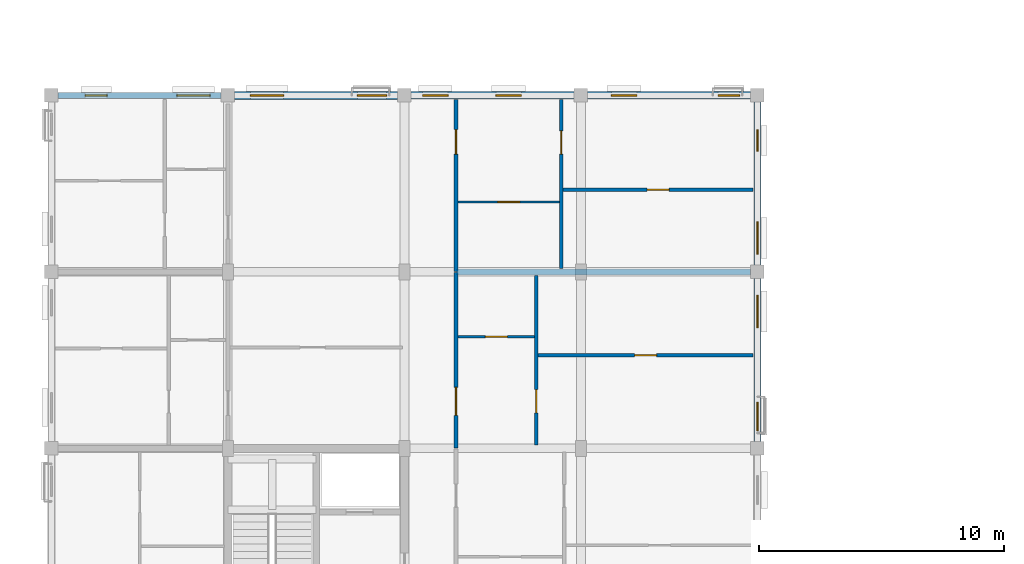
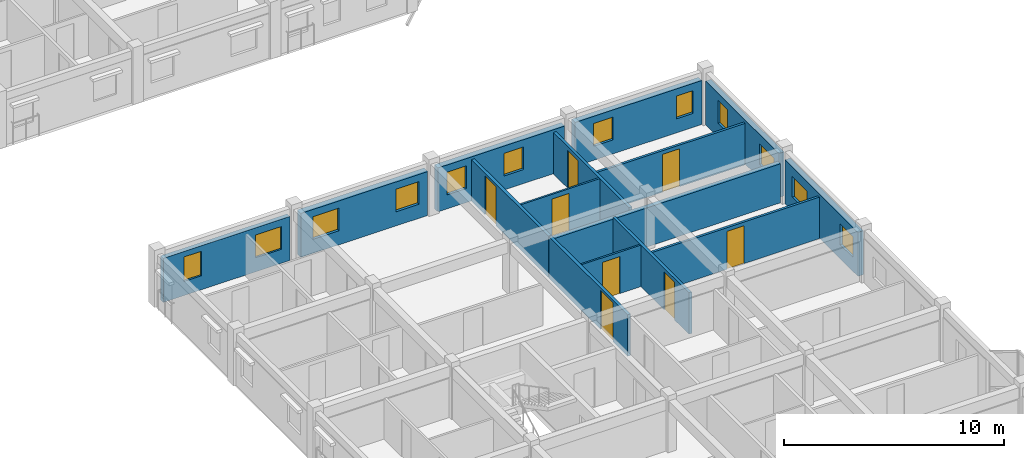
# One storey, part 49 of 75: 15 walls, 12 windows, 8 doors, 20 openings.
"""IFC4 building model written with IfcOpenShell, lengths in metres."""

from ifc_helpers import new_model, si_unit, direction, frame, frame_2d, origin, place, context, subcontext, project, spatial, rectangle, extrude, material, layer, layer_set, type_object, element, fill, save


model = new_model("IFC4")

# Units and contexts
model_context = context("Model", 3, precision=1e-05, world=origin(), true_north=direction((0.0, 1.0)))
body_context = subcontext(model_context, "Body", "Model", "MODEL_VIEW")
ifc_project = project(units=[si_unit("LENGTHUNIT", "METRE"), si_unit("AREAUNIT", "SQUARE_METRE"), si_unit("VOLUMEUNIT", "CUBIC_METRE"), si_unit("PLANEANGLEUNIT", "RADIAN"), si_unit("MASSUNIT", "GRAM", prefix="KILO"), si_unit("THERMODYNAMICTEMPERATUREUNIT", "KELVIN"), si_unit("POWERUNIT", "WATT")], contexts=[model_context])

# Site, building, storey
site_placement = place(None, origin())
site = spatial("IfcSite", under=ifc_project, at=site_placement, CompositionType="ELEMENT")
building_placement = place(site_placement, origin())
building = spatial("IfcBuilding", under=site, at=building_placement, Name="Tavuni Mirador Residences", CompositionType="ELEMENT")
storey_placement = place(building_placement, frame((0.0, 0.0, 20.25)))
storey = spatial("IfcBuildingStorey", under=building, at=storey_placement, Name="L06", CompositionType="ELEMENT", Elevation=20.25)

# Wall, opening, door
ifc_material_1 = material(Name="Precast concrete C40/50", Category="concrete")
ifc_layer_1 = layer(ifc_material_1, 0.1650390625, Name="Precast concrete C40/50", Category="concrete")
ifc_layer_set_1 = layer_set([ifc_layer_1], Name="Precast concrete C40/50")
wall_type_1 = type_object("IfcWallType", Name="WT-CORR165", PredefinedType="PARTITIONING", material=ifc_layer_set_1)
wall_1_placement = place(storey_placement, frame((20.10009765625, 36.02001953125, 0.0), z_axis=(0.0, 0.0, 1.0), x_axis=(0.0, 1.0, 0.0)))
wall_1 = element("IfcWall", 1, at=wall_1_placement, inside=storey, type_object=wall_type_1, Name="CORW-BLK-A-L06-0-04", PredefinedType="PARTITIONING", context=body_context, shape_type="SweptSolid", body=[
    extrude(rectangle(XDim=7.159912109375, YDim=0.1650390625, at=frame_2d((3.580078125, 0.0))), origin(), (0.0, 0.0, 1.0), 2.304931640625),
])
opening_1_placement = place(wall_1_placement, frame((1.330078125, 0.0, 0.0)))
opening_1 = element("IfcOpeningElement", 2, at=opening_1_placement, cuts=wall_1, Name="Opening D-20", PredefinedType="OPENING", context=body_context, shape_type="SweptSolid", body=[
    extrude(rectangle(XDim=1.139892578125, YDim=2.179931640625, at=frame_2d((0.56982421875, 1.08984375))), frame((0.0, 0.092529296875, 0.0), z_axis=(0.0, -1.0, 0.0), x_axis=(1.0, 0.0, 0.0)), (0.0, 0.0, 1.0), 0.18505859375),
])
ifc_material_2 = material(Name="Solid core iroko timber", Category="wood")
door_type_1 = type_object("IfcDoorType", Name="DT-FD60-1140", OperationType="NOTDEFINED", PredefinedType="DOOR", material=ifc_material_2)
door_1_placement = place(opening_1_placement, origin())
door_1 = element("IfcDoor", 3, at=door_1_placement, inside=storey, type_object=door_type_1, Name="DR-2447", OperationType="SINGLE_SWING_RIGHT", OverallHeight=2.179931640625, OverallWidth=1.139892578125, PredefinedType="DOOR", context=body_context, shape_type="SweptSolid", body=[
    extrude(rectangle(XDim=1.139892578125, YDim=2.179931640625, at=frame_2d((0.56982421875, 1.08984375))), frame((0.0, 0.02490234375, 0.0), z_axis=(0.0, -1.0, 0.0), x_axis=(1.0, 0.0, 0.0)), (0.0, 0.0, 1.0), 0.050048828125),
])
fill(opening_1, door_1)

wall_2_placement = place(storey_placement, frame((20.10009765625, 43.219970703125, 0.0), z_axis=(0.0, 0.0, 1.0), x_axis=(0.0, 1.0, 0.0)))
wall_2 = element("IfcWall", 4, at=wall_2_placement, inside=storey, type_object=wall_type_1, Name="CORW-BLK-A-L06-0-05", PredefinedType="PARTITIONING", context=body_context, shape_type="SweptSolid", body=[
    extrude(rectangle(XDim=7.005126953125, YDim=0.1650390625, at=frame_2d((3.50244140625, 0.0))), origin(), (0.0, 0.0, 1.0), 2.304931640625),
])
opening_2_placement = place(wall_2_placement, frame((4.780029296875, 0.0, 0.0)))
opening_2 = element("IfcOpeningElement", 5, at=opening_2_placement, cuts=wall_2, Name="Opening D-03", PredefinedType="OPENING", context=body_context, shape_type="SweptSolid", body=[
    extrude(rectangle(XDim=1.0, YDim=2.14990234375, at=frame_2d((0.5, 1.074951171875))), frame((0.0, 0.092529296875, 0.0), z_axis=(0.0, -1.0, 0.0), x_axis=(1.0, 0.0, 0.0)), (0.0, 0.0, 1.0), 0.18505859375),
])
door_type_2 = type_object("IfcDoorType", Name="DT-FD60-1000", OperationType="NOTDEFINED", PredefinedType="DOOR", material=ifc_material_2)
door_2_placement = place(opening_2_placement, origin())
door_2 = element("IfcDoor", 6, at=door_2_placement, inside=storey, type_object=door_type_2, Name="DR-2448", OperationType="SINGLE_SWING_LEFT", OverallHeight=2.14990234375, OverallWidth=1.0, PredefinedType="DOOR", context=body_context, shape_type="SweptSolid", body=[
    extrude(rectangle(XDim=1.0, YDim=2.14990234375, at=frame_2d((0.5, 1.074951171875))), frame((0.0, 0.02490234375, 0.0), z_axis=(0.0, -1.0, 0.0), x_axis=(1.0, 0.0, 0.0)), (0.0, 0.0, 1.0), 0.050048828125),
])
fill(opening_2, door_2)

# Wall, openings, windows
ifc_layer_2 = layer(ifc_material_1, 0.330078125, Name="Precast concrete C40/50", Category="concrete")
ifc_layer_set_2 = layer_set([ifc_layer_2], Name="Precast concrete C40/50")
wall_type_2 = type_object("IfcWallType", Name="WT-EXT-COR330", PredefinedType="SOLIDWALL", material=ifc_layer_set_2)
wall_3_placement = place(storey_placement, frame((17.72509765625, 50.39990234375, 0.0), z_axis=(0.0, 0.0, 1.0), x_axis=(-1.0, 0.0, 0.0)))
wall_3 = element("IfcWall", 7, at=wall_3_placement, inside=storey, type_object=wall_type_2, Name="EW-BLK-A-L06-N01", PredefinedType="SOLIDWALL", context=body_context, shape_type="SweptSolid", body=[
    extrude(rectangle(XDim=6.650146484375, YDim=0.330078125, at=frame_2d((3.3251953125, 0.0))), origin(), (0.0, 0.0, 1.0), 2.43994140625),
])
opening_3_placement = place(wall_3_placement, frame((0.449951171875, 0.0, 0.780029296875)))
opening_3 = element("IfcOpeningElement", 8, at=opening_3_placement, cuts=wall_3, Name="Opening WN-13", PredefinedType="OPENING", context=body_context, shape_type="SweptSolid", body=[
    extrude(rectangle(XDim=1.199951171875, YDim=1.260009765625, at=frame_2d((0.60009765625, 0.6298828125))), frame((0.0, 0.175048828125, 0.0), z_axis=(0.0, -1.0, 0.0), x_axis=(1.0, 0.0, 0.0)), (0.0, 0.0, 1.0), 0.35009765625),
])
opening_4_placement = place(wall_3_placement, frame((4.64990234375, 0.0, 0.780029296875)))
opening_4 = element("IfcOpeningElement", 9, at=opening_4_placement, cuts=wall_3, Name="Opening WN-15", PredefinedType="OPENING", context=body_context, shape_type="SweptSolid", body=[
    extrude(rectangle(XDim=1.360107421875, YDim=1.260009765625, at=frame_2d((0.68017578125, 0.6298828125))), frame((0.0, 0.175048828125, 0.0), z_axis=(0.0, -1.0, 0.0), x_axis=(1.0, 0.0, 0.0)), (0.0, 0.0, 1.0), 0.35009765625),
])
ifc_material_3 = material(Name="Laminated solar-control glass", Category="glass")
window_type_1 = type_object("IfcWindowType", Name="WNT-13", PartitioningType="SINGLE_PANEL", PredefinedType="WINDOW", material=ifc_material_3)
window_1_placement = place(opening_3_placement, origin())
window_1 = element("IfcWindow", 10, at=window_1_placement, inside=storey, type_object=window_type_1, Name="WIN-0246", OverallHeight=1.260009765625, OverallWidth=1.199951171875, PartitioningType="SINGLE_PANEL", PredefinedType="WINDOW", context=body_context, shape_type="SweptSolid", body=[
    extrude(rectangle(XDim=1.199951171875, YDim=1.260009765625, at=frame_2d((0.60009765625, 0.6298828125))), frame((0.0, 0.030029296875, 0.0), z_axis=(0.0, -1.0, 0.0), x_axis=(1.0, 0.0, 0.0)), (0.0, 0.0, 1.0), 0.06005859375),
])
fill(opening_3, window_1)
window_type_2 = type_object("IfcWindowType", Name="WNT-15", PartitioningType="SINGLE_PANEL", PredefinedType="WINDOW", material=ifc_material_3)
window_2_placement = place(opening_4_placement, origin())
window_2 = element("IfcWindow", 11, at=window_2_placement, inside=storey, type_object=window_type_2, Name="WIN-0247", OverallHeight=1.260009765625, OverallWidth=1.360107421875, PartitioningType="SINGLE_PANEL", PredefinedType="WINDOW", context=body_context, shape_type="SweptSolid", body=[
    extrude(rectangle(XDim=1.360107421875, YDim=1.260009765625, at=frame_2d((0.68017578125, 0.6298828125))), frame((0.0, 0.030029296875, 0.0), z_axis=(0.0, -1.0, 0.0), x_axis=(1.0, 0.0, 0.0)), (0.0, 0.0, 1.0), 0.06005859375),
])
fill(opening_4, window_2)

ifc_material_4 = material(Name="Sgraffito lime-rendered precast concrete C40/50", Category="concrete")
ifc_layer_3 = layer(ifc_material_4, 0.2451171875, Name="Sgraffito lime-rendered precast concrete C40/50", Category="concrete")
ifc_layer_set_3 = layer_set([ifc_layer_3], Name="Sgraffito lime-rendered precast concrete C40/50")
wall_type_3 = type_object("IfcWallType", Name="WT-EXT-PC245", PredefinedType="SOLIDWALL", material=ifc_layer_set_3)
wall_4_placement = place(storey_placement, frame((10.52490234375, 50.39990234375, 0.0), z_axis=(0.0, 0.0, 1.0), x_axis=(-1.0, 0.0, 0.0)))
wall_4 = element("IfcWall", 12, at=wall_4_placement, inside=storey, type_object=wall_type_3, Name="EW-BLK-A-L06-N00", PredefinedType="SOLIDWALL", context=body_context, shape_type="SweptSolid", body=[
    extrude(rectangle(XDim=6.64990234375, YDim=0.2451171875, at=frame_2d((3.324951171875, 0.0))), origin(), (0.0, 0.0, 1.0), 2.43994140625),
])
opening_5_placement = place(wall_4_placement, frame((0.449951171875, 0.0, 0.780029296875)))
opening_5 = element("IfcOpeningElement", 13, at=opening_5_placement, cuts=wall_4, Name="Opening WN-15", PredefinedType="OPENING", context=body_context, shape_type="SweptSolid", body=[
    extrude(rectangle(XDim=1.360107421875, YDim=1.260009765625, at=frame_2d((0.68017578125, 0.6298828125))), frame((0.0, 0.132568359375, 0.0), z_axis=(0.0, -1.0, 0.0), x_axis=(1.0, 0.0, 0.0)), (0.0, 0.0, 1.0), 0.26513671875),
])
opening_6_placement = place(wall_4_placement, frame((4.64990234375, 0.0, 0.780029296875)))
opening_6 = element("IfcOpeningElement", 14, at=opening_6_placement, cuts=wall_4, Name="Opening WN-17", PredefinedType="OPENING", context=body_context, shape_type="SweptSolid", body=[
    extrude(rectangle(XDim=0.89990234375, YDim=1.360107421875, at=frame_2d((0.449951171875, 0.68017578125))), frame((0.0, 0.132568359375, 0.0), z_axis=(0.0, -1.0, 0.0), x_axis=(1.0, 0.0, 0.0)), (0.0, 0.0, 1.0), 0.26513671875),
])
window_3_placement = place(opening_5_placement, origin())
window_3 = element("IfcWindow", 15, at=window_3_placement, inside=storey, type_object=window_type_2, Name="WIN-0248", OverallHeight=1.260009765625, OverallWidth=1.360107421875, PartitioningType="SINGLE_PANEL", PredefinedType="WINDOW", context=body_context, shape_type="SweptSolid", body=[
    extrude(rectangle(XDim=1.360107421875, YDim=1.260009765625, at=frame_2d((0.68017578125, 0.6298828125))), frame((0.0, 0.030029296875, 0.0), z_axis=(0.0, -1.0, 0.0), x_axis=(1.0, 0.0, 0.0)), (0.0, 0.0, 1.0), 0.06005859375),
])
fill(opening_5, window_3)
window_type_3 = type_object("IfcWindowType", Name="WNT-17", PartitioningType="SINGLE_PANEL", PredefinedType="WINDOW", material=ifc_material_3)
window_4_placement = place(opening_6_placement, origin())
window_4 = element("IfcWindow", 16, at=window_4_placement, inside=storey, type_object=window_type_3, Name="WIN-0249", OverallHeight=1.360107421875, OverallWidth=0.89990234375, PartitioningType="SINGLE_PANEL", PredefinedType="WINDOW", context=body_context, shape_type="SweptSolid", body=[
    extrude(rectangle(XDim=0.89990234375, YDim=1.360107421875, at=frame_2d((0.449951171875, 0.68017578125))), frame((0.0, 0.030029296875, 0.0), z_axis=(0.0, -1.0, 0.0), x_axis=(1.0, 0.0, 0.0)), (0.0, 0.0, 1.0), 0.06005859375),
])
fill(opening_6, window_4)

ifc_layer_4 = layer(ifc_material_4, 0.27490234375, Name="Sgraffito lime-rendered precast concrete C40/50", Category="concrete")
ifc_layer_set_4 = layer_set([ifc_layer_4], Name="Sgraffito lime-rendered precast concrete C40/50")
wall_type_4 = type_object("IfcWallType", Name="WT-EXT-PC275", PredefinedType="SOLIDWALL", material=ifc_layer_set_4)
wall_5_placement = place(storey_placement, frame((32.39990234375, 43.47509765625, 0.0), z_axis=(0.0, 0.0, 1.0), x_axis=(0.0, 1.0, 0.0)))
wall_5 = element("IfcWall", 17, at=wall_5_placement, inside=storey, type_object=wall_type_4, Name="EW-BLK-A-L06-E05", PredefinedType="SOLIDWALL", context=body_context, shape_type="SweptSolid", body=[
    extrude(rectangle(XDim=6.64990234375, YDim=0.27490234375, at=frame_2d((3.324951171875, 0.0))), origin(), (0.0, 0.0, 1.0), 2.43994140625),
])
opening_7_placement = place(wall_5_placement, frame((0.449951171875, 0.0, 0.780029296875)))
opening_7 = element("IfcOpeningElement", 18, at=opening_7_placement, cuts=wall_5, Name="Opening WN-07", PredefinedType="OPENING", context=body_context, shape_type="SweptSolid", body=[
    extrude(rectangle(XDim=1.320068359375, YDim=1.14990234375, at=frame_2d((0.66015625, 0.574951171875))), frame((0.0, 0.1474609375, 0.0), z_axis=(0.0, -1.0, 0.0), x_axis=(1.0, 0.0, 0.0)), (0.0, 0.0, 1.0), 0.294921875),
])
opening_8_placement = place(wall_5_placement, frame((4.64990234375, 0.0, 0.780029296875)))
opening_8 = element("IfcOpeningElement", 19, at=opening_8_placement, cuts=wall_5, Name="Opening WN-09", PredefinedType="OPENING", context=body_context, shape_type="SweptSolid", body=[
    extrude(rectangle(XDim=0.8798828125, YDim=1.260009765625, at=frame_2d((0.43994140625, 0.6298828125))), frame((0.0, 0.1474609375, 0.0), z_axis=(0.0, -1.0, 0.0), x_axis=(1.0, 0.0, 0.0)), (0.0, 0.0, 1.0), 0.294921875),
])
window_type_4 = type_object("IfcWindowType", Name="WNT-07", PartitioningType="SINGLE_PANEL", PredefinedType="WINDOW", material=ifc_material_3)
window_5_placement = place(opening_7_placement, origin())
window_5 = element("IfcWindow", 20, at=window_5_placement, inside=storey, type_object=window_type_4, Name="WIN-0240", OverallHeight=1.14990234375, OverallWidth=1.320068359375, PartitioningType="SINGLE_PANEL", PredefinedType="WINDOW", context=body_context, shape_type="SweptSolid", body=[
    extrude(rectangle(XDim=1.320068359375, YDim=1.14990234375, at=frame_2d((0.66015625, 0.574951171875))), frame((0.0, 0.030029296875, 0.0), z_axis=(0.0, -1.0, 0.0), x_axis=(1.0, 0.0, 0.0)), (0.0, 0.0, 1.0), 0.06005859375),
])
fill(opening_7, window_5)
window_type_5 = type_object("IfcWindowType", Name="WNT-09", PartitioningType="SINGLE_PANEL", PredefinedType="WINDOW", material=ifc_material_3)
window_6_placement = place(opening_8_placement, origin())
window_6 = element("IfcWindow", 21, at=window_6_placement, inside=storey, type_object=window_type_5, Name="WIN-0241", OverallHeight=1.260009765625, OverallWidth=0.8798828125, PartitioningType="SINGLE_PANEL", PredefinedType="WINDOW", context=body_context, shape_type="SweptSolid", body=[
    extrude(rectangle(XDim=0.8798828125, YDim=1.260009765625, at=frame_2d((0.43994140625, 0.6298828125))), frame((0.0, 0.030029296875, 0.0), z_axis=(0.0, -1.0, 0.0), x_axis=(1.0, 0.0, 0.0)), (0.0, 0.0, 1.0), 0.06005859375),
])
fill(opening_8, window_6)

ifc_layer_5 = layer(ifc_material_4, 0.2900390625, Name="Sgraffito lime-rendered precast concrete C40/50", Category="concrete")
ifc_layer_set_5 = layer_set([ifc_layer_5], Name="Sgraffito lime-rendered precast concrete C40/50")
wall_type_5 = type_object("IfcWallType", Name="WT-EXT-PC290", PredefinedType="SOLIDWALL", material=ifc_layer_set_5)
wall_6_placement = place(storey_placement, frame((32.39990234375, 36.27490234375, 0.0), z_axis=(0.0, 0.0, 1.0), x_axis=(0.0, 1.0, 0.0)))
wall_6 = element("IfcWall", 22, at=wall_6_placement, inside=storey, type_object=wall_type_5, Name="EW-BLK-A-L06-E04", PredefinedType="SOLIDWALL", context=body_context, shape_type="SweptSolid", body=[
    extrude(rectangle(XDim=6.650146484375, YDim=0.2900390625, at=frame_2d((3.3251953125, 0.0))), origin(), (0.0, 0.0, 1.0), 2.43994140625),
])
opening_9_placement = place(wall_6_placement, frame((0.449951171875, 0.0, 0.780029296875)))
opening_9 = element("IfcOpeningElement", 23, at=opening_9_placement, cuts=wall_6, Name="Opening WN-05", PredefinedType="OPENING", context=body_context, shape_type="SweptSolid", body=[
    extrude(rectangle(XDim=1.159912109375, YDim=1.14990234375, at=frame_2d((0.580078125, 0.574951171875))), frame((0.0, 0.155029296875, 0.0), z_axis=(0.0, -1.0, 0.0), x_axis=(1.0, 0.0, 0.0)), (0.0, 0.0, 1.0), 0.31005859375),
])
opening_10_placement = place(wall_6_placement, frame((4.64990234375, 0.0, 0.780029296875)))
opening_10 = element("IfcOpeningElement", 24, at=opening_10_placement, cuts=wall_6, Name="Opening WN-07", PredefinedType="OPENING", context=body_context, shape_type="SweptSolid", body=[
    extrude(rectangle(XDim=1.320068359375, YDim=1.14990234375, at=frame_2d((0.66015625, 0.574951171875))), frame((0.0, 0.155029296875, 0.0), z_axis=(0.0, -1.0, 0.0), x_axis=(1.0, 0.0, 0.0)), (0.0, 0.0, 1.0), 0.31005859375),
])
window_type_6 = type_object("IfcWindowType", Name="WNT-05", PartitioningType="SINGLE_PANEL", PredefinedType="WINDOW", material=ifc_material_3)
window_7_placement = place(opening_9_placement, origin())
window_7 = element("IfcWindow", 25, at=window_7_placement, inside=storey, type_object=window_type_6, Name="WIN-0238", OverallHeight=1.14990234375, OverallWidth=1.159912109375, PartitioningType="SINGLE_PANEL", PredefinedType="WINDOW", context=body_context, shape_type="SweptSolid", body=[
    extrude(rectangle(XDim=1.159912109375, YDim=1.14990234375, at=frame_2d((0.580078125, 0.574951171875))), frame((0.0, 0.030029296875, 0.0), z_axis=(0.0, -1.0, 0.0), x_axis=(1.0, 0.0, 0.0)), (0.0, 0.0, 1.0), 0.06005859375),
])
fill(opening_9, window_7)
window_8_placement = place(opening_10_placement, origin())
window_8 = element("IfcWindow", 26, at=window_8_placement, inside=storey, type_object=window_type_4, Name="WIN-0239", OverallHeight=1.14990234375, OverallWidth=1.320068359375, PartitioningType="SINGLE_PANEL", PredefinedType="WINDOW", context=body_context, shape_type="SweptSolid", body=[
    extrude(rectangle(XDim=1.320068359375, YDim=1.14990234375, at=frame_2d((0.66015625, 0.574951171875))), frame((0.0, 0.030029296875, 0.0), z_axis=(0.0, -1.0, 0.0), x_axis=(1.0, 0.0, 0.0)), (0.0, 0.0, 1.0), 0.06005859375),
])
fill(opening_10, window_8)

ifc_layer_6 = layer(ifc_material_4, 0.304931640625, Name="Sgraffito lime-rendered precast concrete C40/50", Category="concrete")
ifc_layer_set_6 = layer_set([ifc_layer_6], Name="Sgraffito lime-rendered precast concrete C40/50")
wall_type_6 = type_object("IfcWallType", Name="WT-EXT-PC305", PredefinedType="SOLIDWALL", material=ifc_layer_set_6)
wall_7_placement = place(storey_placement, frame((32.125, 50.39990234375, 0.0), z_axis=(0.0, 0.0, 1.0), x_axis=(-1.0, 0.0, 0.0)))
wall_7 = element("IfcWall", 27, at=wall_7_placement, inside=storey, type_object=wall_type_6, Name="EW-BLK-A-L06-N03", PredefinedType="SOLIDWALL", context=body_context, shape_type="SweptSolid", body=[
    extrude(rectangle(XDim=6.64990234375, YDim=0.304931640625, at=frame_2d((3.324951171875, 0.0))), origin(), (0.0, 0.0, 1.0), 2.43994140625),
])
opening_11_placement = place(wall_7_placement, frame((0.449951171875, 0.0, 0.780029296875)))
opening_11 = element("IfcOpeningElement", 28, at=opening_11_placement, cuts=wall_7, Name="Opening WN-09", PredefinedType="OPENING", context=body_context, shape_type="SweptSolid", body=[
    extrude(rectangle(XDim=0.8798828125, YDim=1.260009765625, at=frame_2d((0.43994140625, 0.6298828125))), frame((0.0, 0.16259765625, 0.0), z_axis=(0.0, -1.0, 0.0), x_axis=(1.0, 0.0, 0.0)), (0.0, 0.0, 1.0), 0.324951171875),
])
opening_12_placement = place(wall_7_placement, frame((4.64990234375, 0.0, 0.780029296875)))
opening_12 = element("IfcOpeningElement", 29, at=opening_12_placement, cuts=wall_7, Name="Opening WN-11", PredefinedType="OPENING", context=body_context, shape_type="SweptSolid", body=[
    extrude(rectangle(XDim=1.0400390625, YDim=1.260009765625, at=frame_2d((0.52001953125, 0.6298828125))), frame((0.0, 0.16259765625, 0.0), z_axis=(0.0, -1.0, 0.0), x_axis=(1.0, 0.0, 0.0)), (0.0, 0.0, 1.0), 0.324951171875),
])
window_9_placement = place(opening_11_placement, origin())
window_9 = element("IfcWindow", 30, at=window_9_placement, inside=storey, type_object=window_type_5, Name="WIN-0242", OverallHeight=1.260009765625, OverallWidth=0.8798828125, PartitioningType="SINGLE_PANEL", PredefinedType="WINDOW", context=body_context, shape_type="SweptSolid", body=[
    extrude(rectangle(XDim=0.8798828125, YDim=1.260009765625, at=frame_2d((0.43994140625, 0.6298828125))), frame((0.0, 0.030029296875, 0.0), z_axis=(0.0, -1.0, 0.0), x_axis=(1.0, 0.0, 0.0)), (0.0, 0.0, 1.0), 0.06005859375),
])
fill(opening_11, window_9)
window_type_7 = type_object("IfcWindowType", Name="WNT-11", PartitioningType="SINGLE_PANEL", PredefinedType="WINDOW", material=ifc_material_3)
window_10_placement = place(opening_12_placement, origin())
window_10 = element("IfcWindow", 31, at=window_10_placement, inside=storey, type_object=window_type_7, Name="WIN-0243", OverallHeight=1.260009765625, OverallWidth=1.0400390625, PartitioningType="SINGLE_PANEL", PredefinedType="WINDOW", context=body_context, shape_type="SweptSolid", body=[
    extrude(rectangle(XDim=1.0400390625, YDim=1.260009765625, at=frame_2d((0.52001953125, 0.6298828125))), frame((0.0, 0.030029296875, 0.0), z_axis=(0.0, -1.0, 0.0), x_axis=(1.0, 0.0, 0.0)), (0.0, 0.0, 1.0), 0.06005859375),
])
fill(opening_12, window_10)

ifc_layer_7 = layer(ifc_material_4, 0.31494140625, Name="Sgraffito lime-rendered precast concrete C40/50", Category="concrete")
ifc_layer_set_7 = layer_set([ifc_layer_7], Name="Sgraffito lime-rendered precast concrete C40/50")
wall_type_7 = type_object("IfcWallType", Name="WT-EXT-PC315", PredefinedType="SOLIDWALL", material=ifc_layer_set_7)
wall_8_placement = place(storey_placement, frame((24.925048828125, 50.39990234375, 0.0), z_axis=(0.0, 0.0, 1.0), x_axis=(-1.0, 0.0, 0.0)))
wall_8 = element("IfcWall", 32, at=wall_8_placement, inside=storey, type_object=wall_type_7, Name="EW-BLK-A-L06-N02", PredefinedType="SOLIDWALL", context=body_context, shape_type="SweptSolid", body=[
    extrude(rectangle(XDim=6.650146484375, YDim=0.31494140625, at=frame_2d((3.3251953125, 0.0))), origin(), (0.0, 0.0, 1.0), 2.43994140625),
])
opening_13_placement = place(wall_8_placement, frame((2.155029296875, 0.0, 0.780029296875)))
opening_13 = element("IfcOpeningElement", 33, at=opening_13_placement, cuts=wall_8, Name="Opening WN-11", PredefinedType="OPENING", context=body_context, shape_type="SweptSolid", body=[
    extrude(rectangle(XDim=1.0400390625, YDim=1.260009765625, at=frame_2d((0.52001953125, 0.6298828125))), frame((0.0, 0.16748046875, 0.0), z_axis=(0.0, -1.0, 0.0), x_axis=(1.0, 0.0, 0.0)), (0.0, 0.0, 1.0), 0.3349609375),
])
opening_14_placement = place(wall_8_placement, frame((5.1474609375, 0.0, 0.780029296875)))
opening_14 = element("IfcOpeningElement", 34, at=opening_14_placement, cuts=wall_8, Name="Opening WN-11", PredefinedType="OPENING", context=body_context, shape_type="SweptSolid", body=[
    extrude(rectangle(XDim=1.0400390625, YDim=1.260009765625, at=frame_2d((0.52001953125, 0.6298828125))), frame((0.0, 0.16748046875, 0.0), z_axis=(0.0, -1.0, 0.0), x_axis=(1.0, 0.0, 0.0)), (0.0, 0.0, 1.0), 0.3349609375),
])
window_11_placement = place(opening_13_placement, origin())
window_11 = element("IfcWindow", 35, at=window_11_placement, inside=storey, type_object=window_type_7, Name="WIN-0244", OverallHeight=1.260009765625, OverallWidth=1.0400390625, PartitioningType="SINGLE_PANEL", PredefinedType="WINDOW", context=body_context, shape_type="SweptSolid", body=[
    extrude(rectangle(XDim=1.0400390625, YDim=1.260009765625, at=frame_2d((0.52001953125, 0.6298828125))), frame((0.0, 0.030029296875, 0.0), z_axis=(0.0, -1.0, 0.0), x_axis=(1.0, 0.0, 0.0)), (0.0, 0.0, 1.0), 0.06005859375),
])
fill(opening_13, window_11)
window_12_placement = place(opening_14_placement, origin())
window_12 = element("IfcWindow", 36, at=window_12_placement, inside=storey, type_object=window_type_7, Name="WIN-0245", OverallHeight=1.260009765625, OverallWidth=1.0400390625, PartitioningType="SINGLE_PANEL", PredefinedType="WINDOW", context=body_context, shape_type="SweptSolid", body=[
    extrude(rectangle(XDim=1.0400390625, YDim=1.260009765625, at=frame_2d((0.52001953125, 0.6298828125))), frame((0.0, 0.030029296875, 0.0), z_axis=(0.0, -1.0, 0.0), x_axis=(1.0, 0.0, 0.0)), (0.0, 0.0, 1.0), 0.06005859375),
])
fill(opening_14, window_12)

# Wall, opening, door
ifc_material_5 = material(Name="Acoustic gypsum and concrete block partition", Category="concrete")
ifc_layer_8 = layer(ifc_material_5, 0.094970703125, Name="Acoustic gypsum and concrete block partition", Category="concrete")
ifc_layer_set_8 = layer_set([ifc_layer_8], Name="Acoustic gypsum and concrete block partition")
wall_type_8 = type_object("IfcWallType", Name="WT-PART095", PredefinedType="PARTITIONING", material=ifc_layer_set_8)
wall_9_placement = place(storey_placement, frame((20.18994140625, 40.550048828125, 0.0), z_axis=(0.0, 0.0, 1.0), x_axis=(1.0, 0.0, 0.0)))
wall_9 = element("IfcWall", 37, at=wall_9_placement, inside=storey, type_object=wall_type_8, Name="PW-BLK-A-L06-E04-IN1", PredefinedType="PARTITIONING", context=body_context, shape_type="SweptSolid", body=[
    extrude(rectangle(XDim=3.1201171875, YDim=0.094970703125, at=frame_2d((1.56005859375, 0.0))), origin(), (0.0, 0.0, 1.0), 2.304931640625),
])
opening_15_placement = place(wall_9_placement, frame((1.110107421875, 0.0, 0.0)))
opening_15 = element("IfcOpeningElement", 38, at=opening_15_placement, cuts=wall_9, Name="Opening D-09", PredefinedType="OPENING", context=body_context, shape_type="SweptSolid", body=[
    extrude(rectangle(XDim=0.89990234375, YDim=2.050048828125, at=frame_2d((0.449951171875, 1.02490234375))), frame((0.0, 0.0576171875, 0.0), z_axis=(0.0, -1.0, 0.0), x_axis=(1.0, 0.0, 0.0)), (0.0, 0.0, 1.0), 0.114990234375),
])
door_type_3 = type_object("IfcDoorType", Name="DT-WC900", OperationType="NOTDEFINED", PredefinedType="DOOR", material=ifc_material_2)
door_3_placement = place(opening_15_placement, origin())
door_3 = element("IfcDoor", 39, at=door_3_placement, inside=storey, type_object=door_type_3, Name="DR-3163", OperationType="SINGLE_SWING_RIGHT", OverallHeight=2.050048828125, OverallWidth=0.89990234375, PredefinedType="DOOR", context=body_context, shape_type="SweptSolid", body=[
    extrude(rectangle(XDim=0.89990234375, YDim=2.050048828125, at=frame_2d((0.449951171875, 1.02490234375))), frame((0.0, 0.02490234375, 0.0), z_axis=(0.0, -1.0, 0.0), x_axis=(1.0, 0.0, 0.0)), (0.0, 0.0, 1.0), 0.050048828125),
])
fill(opening_15, door_3)

wall_10_placement = place(storey_placement, frame((20.18994140625, 46.050048828125, 0.0), z_axis=(0.0, 0.0, 1.0), x_axis=(1.0, 0.0, 0.0)))
wall_10 = element("IfcWall", 40, at=wall_10_placement, inside=storey, type_object=wall_type_8, Name="PW-BLK-A-L06-E05-IN1", PredefinedType="PARTITIONING", context=body_context, shape_type="SweptSolid", body=[
    extrude(rectangle(XDim=4.14013671875, YDim=0.094970703125, at=frame_2d((2.070068359375, 0.0))), origin(), (0.0, 0.0, 1.0), 2.304931640625),
])
opening_16_placement = place(wall_10_placement, frame((1.6201171875, 0.0, 0.0)))
opening_16 = element("IfcOpeningElement", 41, at=opening_16_placement, cuts=wall_10, Name="Opening D-09", PredefinedType="OPENING", context=body_context, shape_type="SweptSolid", body=[
    extrude(rectangle(XDim=0.89990234375, YDim=2.050048828125, at=frame_2d((0.449951171875, 1.02490234375))), frame((0.0, 0.0576171875, 0.0), z_axis=(0.0, -1.0, 0.0), x_axis=(1.0, 0.0, 0.0)), (0.0, 0.0, 1.0), 0.114990234375),
])
door_4_placement = place(opening_16_placement, origin())
door_4 = element("IfcDoor", 42, at=door_4_placement, inside=storey, type_object=door_type_3, Name="DR-3169", OperationType="SINGLE_SWING_RIGHT", OverallHeight=2.050048828125, OverallWidth=0.89990234375, PredefinedType="DOOR", context=body_context, shape_type="SweptSolid", body=[
    extrude(rectangle(XDim=0.89990234375, YDim=2.050048828125, at=frame_2d((0.449951171875, 1.02490234375))), frame((0.0, 0.02490234375, 0.0), z_axis=(0.0, -1.0, 0.0), x_axis=(1.0, 0.0, 0.0)), (0.0, 0.0, 1.0), 0.050048828125),
])
fill(opening_16, door_4)

ifc_layer_9 = layer(ifc_material_5, 0.125, Name="Acoustic gypsum and concrete block partition", Category="concrete")
ifc_layer_set_9 = layer_set([ifc_layer_9], Name="Acoustic gypsum and concrete block partition")
wall_type_9 = type_object("IfcWallType", Name="WT-PART125", PredefinedType="PARTITIONING", material=ifc_layer_set_9)
wall_11_placement = place(storey_placement, frame((23.449951171875, 39.800048828125, 0.0), z_axis=(0.0, 0.0, 1.0), x_axis=(1.0, 0.0, 0.0)))
wall_11 = element("IfcWall", 43, at=wall_11_placement, inside=storey, type_object=wall_type_9, Name="PW-BLK-A-L06-E04-OUT", PredefinedType="PARTITIONING", context=body_context, shape_type="SweptSolid", body=[
    extrude(rectangle(XDim=8.775146484375, YDim=0.125, at=frame_2d((4.3876953125, 0.0))), origin(), (0.0, 0.0, 1.0), 2.304931640625),
])
opening_17_placement = place(wall_11_placement, frame((3.9375, 0.0, 0.0)))
opening_17 = element("IfcOpeningElement", 44, at=opening_17_placement, cuts=wall_11, Name="Opening D-07", PredefinedType="OPENING", context=body_context, shape_type="SweptSolid", body=[
    extrude(rectangle(XDim=0.89990234375, YDim=2.10009765625, at=frame_2d((0.449951171875, 1.050048828125))), frame((0.0, 0.072509765625, 0.0), z_axis=(0.0, -1.0, 0.0), x_axis=(1.0, 0.0, 0.0)), (0.0, 0.0, 1.0), 0.14501953125),
])
door_type_4 = type_object("IfcDoorType", Name="DT-BED900", OperationType="NOTDEFINED", PredefinedType="DOOR", material=ifc_material_2)
door_5_placement = place(opening_17_placement, origin())
door_5 = element("IfcDoor", 45, at=door_5_placement, inside=storey, type_object=door_type_4, Name="DR-3162", OperationType="SINGLE_SWING_LEFT", OverallHeight=2.10009765625, OverallWidth=0.89990234375, PredefinedType="DOOR", context=body_context, shape_type="SweptSolid", body=[
    extrude(rectangle(XDim=0.89990234375, YDim=2.10009765625, at=frame_2d((0.449951171875, 1.050048828125))), frame((0.0, 0.02490234375, 0.0), z_axis=(0.0, -1.0, 0.0), x_axis=(1.0, 0.0, 0.0)), (0.0, 0.0, 1.0), 0.050048828125),
])
fill(opening_17, door_5)

wall_12_placement = place(storey_placement, frame((24.469970703125, 46.550048828125, 0.0), z_axis=(0.0, 0.0, 1.0), x_axis=(1.0, 0.0, 0.0)))
wall_12 = element("IfcWall", 46, at=wall_12_placement, inside=storey, type_object=wall_type_9, Name="PW-BLK-A-L06-E05-OUT", PredefinedType="PARTITIONING", context=body_context, shape_type="SweptSolid", body=[
    extrude(rectangle(XDim=7.755126953125, YDim=0.125, at=frame_2d((3.87744140625, 0.0))), origin(), (0.0, 0.0, 1.0), 2.304931640625),
])
opening_18_placement = place(wall_12_placement, frame((3.427490234375, 0.0, 0.0)))
opening_18 = element("IfcOpeningElement", 47, at=opening_18_placement, cuts=wall_12, Name="Opening D-07", PredefinedType="OPENING", context=body_context, shape_type="SweptSolid", body=[
    extrude(rectangle(XDim=0.89990234375, YDim=2.10009765625, at=frame_2d((0.449951171875, 1.050048828125))), frame((0.0, 0.072509765625, 0.0), z_axis=(0.0, -1.0, 0.0), x_axis=(1.0, 0.0, 0.0)), (0.0, 0.0, 1.0), 0.14501953125),
])
door_6_placement = place(opening_18_placement, origin())
door_6 = element("IfcDoor", 48, at=door_6_placement, inside=storey, type_object=door_type_4, Name="DR-3168", OperationType="SINGLE_SWING_LEFT", OverallHeight=2.10009765625, OverallWidth=0.89990234375, PredefinedType="DOOR", context=body_context, shape_type="SweptSolid", body=[
    extrude(rectangle(XDim=0.89990234375, YDim=2.10009765625, at=frame_2d((0.449951171875, 1.050048828125))), frame((0.0, 0.02490234375, 0.0), z_axis=(0.0, -1.0, 0.0), x_axis=(1.0, 0.0, 0.0)), (0.0, 0.0, 1.0), 0.050048828125),
])
fill(opening_18, door_6)

ifc_layer_10 = layer(ifc_material_5, 0.14990234375, Name="Acoustic gypsum and concrete block partition", Category="concrete")
ifc_layer_set_10 = layer_set([ifc_layer_10], Name="Acoustic gypsum and concrete block partition")
wall_type_10 = type_object("IfcWallType", Name="WT-PART150", PredefinedType="PARTITIONING", material=ifc_layer_set_10)
wall_13_placement = place(storey_placement, frame((23.3798828125, 36.139892578125, 0.0), z_axis=(0.0, 0.0, 1.0), x_axis=(0.0, 1.0, 0.0)))
wall_13 = element("IfcWall", 49, at=wall_13_placement, inside=storey, type_object=wall_type_10, Name="PW-BLK-A-L06-E04-MID", PredefinedType="PARTITIONING", context=body_context, shape_type="SweptSolid", body=[
    extrude(rectangle(XDim=6.920166015625, YDim=0.14990234375, at=frame_2d((3.4599609375, 0.0))), origin(), (0.0, 0.0, 1.0), 2.304931640625),
])
opening_19_placement = place(wall_13_placement, frame((1.31005859375, 0.0, 0.0)))
opening_19 = element("IfcOpeningElement", 50, at=opening_19_placement, cuts=wall_13, Name="Opening D-05", PredefinedType="OPENING", context=body_context, shape_type="SweptSolid", body=[
    extrude(rectangle(XDim=0.949951171875, YDim=2.10009765625, at=frame_2d((0.47509765625, 1.050048828125))), frame((0.0, 0.0849609375, 0.0), z_axis=(0.0, -1.0, 0.0), x_axis=(1.0, 0.0, 0.0)), (0.0, 0.0, 1.0), 0.169921875),
])
door_type_5 = type_object("IfcDoorType", Name="DT-INT950", OperationType="NOTDEFINED", PredefinedType="DOOR", material=ifc_material_2)
door_7_placement = place(opening_19_placement, origin())
door_7 = element("IfcDoor", 51, at=door_7_placement, inside=storey, type_object=door_type_5, Name="DR-3164", OperationType="SINGLE_SWING_LEFT", OverallHeight=2.10009765625, OverallWidth=0.949951171875, PredefinedType="DOOR", context=body_context, shape_type="SweptSolid", body=[
    extrude(rectangle(XDim=0.949951171875, YDim=2.10009765625, at=frame_2d((0.47509765625, 1.050048828125))), frame((0.0, 0.02490234375, 0.0), z_axis=(0.0, -1.0, 0.0), x_axis=(1.0, 0.0, 0.0)), (0.0, 0.0, 1.0), 0.050048828125),
])
fill(opening_19, door_7)

wall_14_placement = place(storey_placement, frame((24.39990234375, 43.340087890625, 0.0), z_axis=(0.0, 0.0, 1.0), x_axis=(0.0, 1.0, 0.0)))
wall_14 = element("IfcWall", 52, at=wall_14_placement, inside=storey, type_object=wall_type_10, Name="PW-BLK-A-L06-E05-MID", PredefinedType="PARTITIONING", context=body_context, shape_type="SweptSolid", body=[
    extrude(rectangle(XDim=6.885009765625, YDim=0.14990234375, at=frame_2d((3.4423828125, 0.0))), origin(), (0.0, 0.0, 1.0), 2.304931640625),
])
opening_20_placement = place(wall_14_placement, frame((4.659912109375, 0.0, 0.0)))
opening_20 = element("IfcOpeningElement", 53, at=opening_20_placement, cuts=wall_14, Name="Opening D-05", PredefinedType="OPENING", context=body_context, shape_type="SweptSolid", body=[
    extrude(rectangle(XDim=0.949951171875, YDim=2.10009765625, at=frame_2d((0.47509765625, 1.050048828125))), frame((0.0, 0.0849609375, 0.0), z_axis=(0.0, -1.0, 0.0), x_axis=(1.0, 0.0, 0.0)), (0.0, 0.0, 1.0), 0.169921875),
])
door_8_placement = place(opening_20_placement, origin())
door_8 = element("IfcDoor", 54, at=door_8_placement, inside=storey, type_object=door_type_5, Name="DR-3170", OperationType="SINGLE_SWING_LEFT", OverallHeight=2.10009765625, OverallWidth=0.949951171875, PredefinedType="DOOR", context=body_context, shape_type="SweptSolid", body=[
    extrude(rectangle(XDim=0.949951171875, YDim=2.10009765625, at=frame_2d((0.47509765625, 1.050048828125))), frame((0.0, 0.02490234375, 0.0), z_axis=(0.0, -1.0, 0.0), x_axis=(1.0, 0.0, 0.0)), (0.0, 0.0, 1.0), 0.050048828125),
])
fill(opening_20, door_8)

# Wall
ifc_layer_11 = layer(ifc_material_1, 0.235107421875, Name="Precast concrete C40/50", Category="concrete")
ifc_layer_set_11 = layer_set([ifc_layer_11], Name="Precast concrete C40/50")
wall_type_11 = type_object("IfcWallType", Name="WT-XW235", PredefinedType="SOLIDWALL", material=ifc_layer_set_11)
wall_15_placement = place(storey_placement, frame((20.10009765625, 43.199951171875, 0.0), z_axis=(0.0, 0.0, 1.0), x_axis=(1.0, 0.0, 0.0)))
element("IfcWall", 55, at=wall_15_placement, inside=storey, type_object=wall_type_11, Name="XW-BLK-A-L06-E-05", PredefinedType="SOLIDWALL", context=body_context, shape_type="SweptSolid", body=[
    extrude(rectangle(XDim=12.02490234375, YDim=0.235107421875, at=frame_2d((6.012451171875, 0.0))), origin(), (0.0, 0.0, 1.0), 2.169921875),
])

save(model, "model.ifc")
